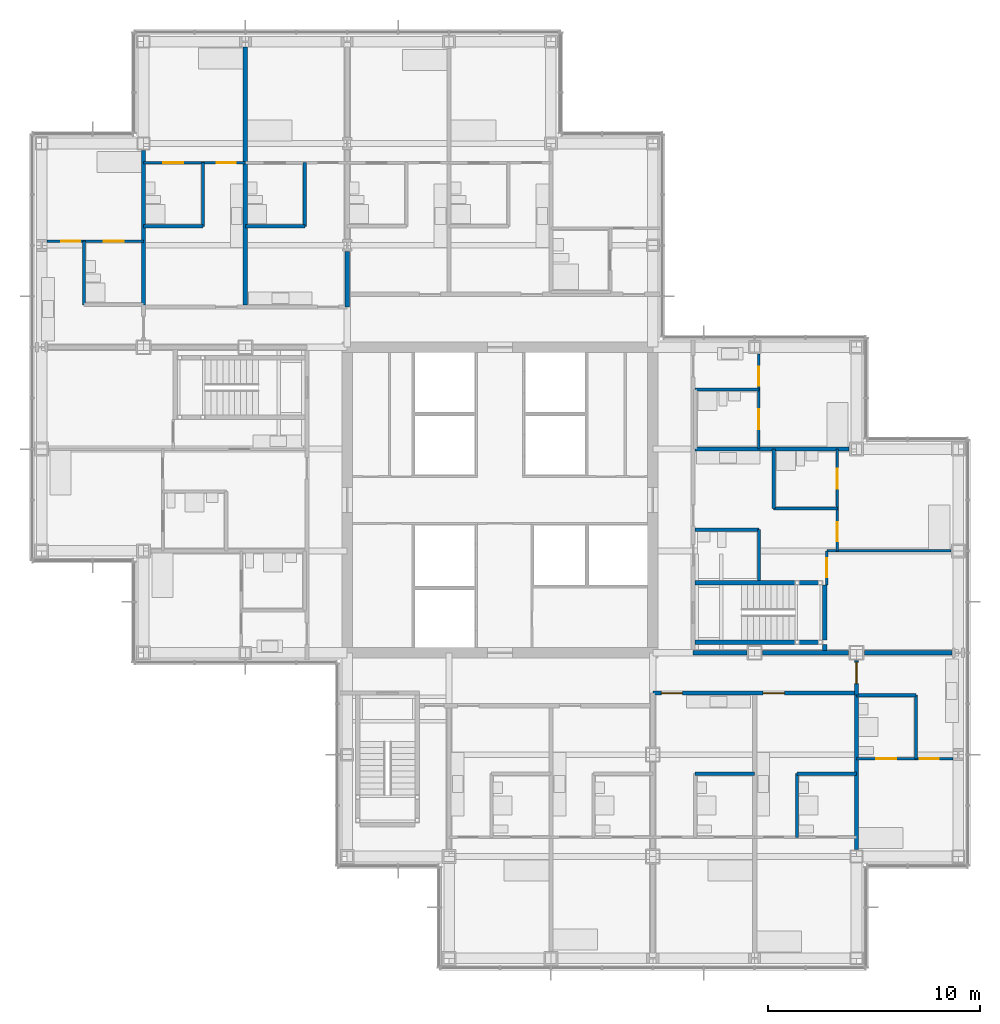
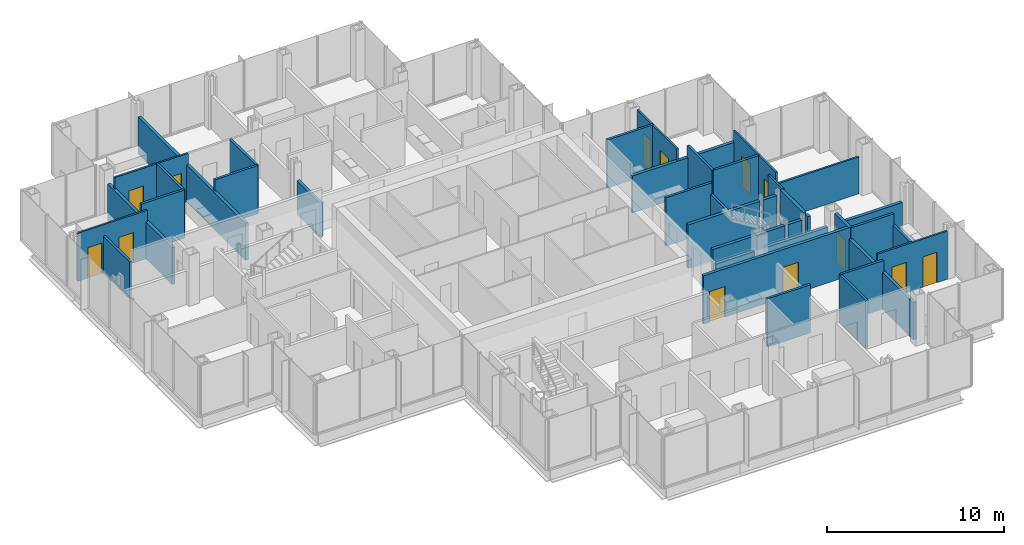
# One storey, part 15 of 19: 38 walls, 14 doors, 14 openings.
"""IFC4 building model written with IfcOpenShell, lengths in metres."""

from ifc_helpers import new_model, si_unit, direction, frame, frame_2d, origin, place, context, subcontext, project, spatial, rectangle, extrude, material, layer, layer_set, type_object, element, fill, save


model = new_model("IFC4")

# Units and contexts
model_context = context("Model", 3, precision=1e-05, world=origin(), true_north=direction((0.0, 1.0)))
body_context = subcontext(model_context, "Body", "Model", "MODEL_VIEW")
ifc_project = project(units=[si_unit("LENGTHUNIT", "METRE"), si_unit("AREAUNIT", "SQUARE_METRE"), si_unit("VOLUMEUNIT", "CUBIC_METRE"), si_unit("PLANEANGLEUNIT", "RADIAN"), si_unit("MASSUNIT", "GRAM", prefix="KILO")], contexts=[model_context])

# Site, building, storey
site_placement = place(None, origin())
site = spatial("IfcSite", under=ifc_project, at=site_placement, CompositionType="ELEMENT")
building_placement = place(site_placement, origin())
building = spatial("IfcBuilding", under=site, at=building_placement, Name="Kvirike Care Tower", CompositionType="ELEMENT")
storey_placement = place(building_placement, frame((0.0, 0.0, 87.5)))
storey = spatial("IfcBuildingStorey", under=building, at=storey_placement, Name="L23", CompositionType="ELEMENT", Elevation=87.5)

# Walls
ifc_material_1 = material(Name="Moisture-resistant board partition", Category="gypsum")
ifc_layer_1 = layer(ifc_material_1, 0.14990234375)
ifc_layer_set_1 = layer_set([ifc_layer_1], Name="BATHROOM WALL 150")
wall_type_1 = type_object("IfcWallType", Name="BATHROOM WALL 150", PredefinedType="PARTITIONING", material=ifc_layer_set_1)
wall_1_placement = place(storey_placement, frame((12.39990234375, 51.89990234375, 0.0), z_axis=(0.0, 0.0, 1.0), x_axis=(0.0, -1.0, 0.0)))
element("IfcWall", 1, at=wall_1_placement, inside=storey, type_object=wall_type_1, Name="Bathroom Wall 150 L23", PredefinedType="PARTITIONING", context=body_context, shape_type="SweptSolid", body=[
    extrude(rectangle(XDim=3.0, YDim=0.14990234375, at=frame_2d((1.5, 0.0))), origin(), (0.0, 0.0, 1.0), 3.330078125),
])
wall_2_placement = place(storey_placement, frame((12.39990234375, 48.89990234375, 0.0), z_axis=(0.0, 0.0, 1.0), x_axis=(-1.0, 0.0, 0.0)))
element("IfcWall", 2, at=wall_2_placement, inside=storey, type_object=wall_type_1, Name="Bathroom Wall 150 L23", PredefinedType="PARTITIONING", context=body_context, shape_type="SweptSolid", body=[
    extrude(rectangle(XDim=2.7998046875, YDim=0.14990234375, at=frame_2d((1.39990234375, 0.0))), origin(), (0.0, 0.0, 1.0), 3.330078125),
])
wall_3_placement = place(storey_placement, frame((7.60009765625, 51.89990234375, 0.0), z_axis=(0.0, 0.0, 1.0), x_axis=(0.0, -1.0, 0.0)))
element("IfcWall", 3, at=wall_3_placement, inside=storey, type_object=wall_type_1, Name="Bathroom Wall 150 L23", PredefinedType="PARTITIONING", context=body_context, shape_type="SweptSolid", body=[
    extrude(rectangle(XDim=3.0, YDim=0.14990234375, at=frame_2d((1.5, 0.0))), origin(), (0.0, 0.0, 1.0), 3.330078125),
])
wall_4_placement = place(storey_placement, frame((7.60009765625, 48.89990234375, 0.0), z_axis=(0.0, 0.0, 1.0), x_axis=(-1.0, 0.0, 0.0)))
element("IfcWall", 4, at=wall_4_placement, inside=storey, type_object=wall_type_1, Name="Bathroom Wall 150 L23", PredefinedType="PARTITIONING", context=body_context, shape_type="SweptSolid", body=[
    extrude(rectangle(XDim=2.800048828125, YDim=0.14990234375, at=frame_2d((1.39990234375, 0.0))), origin(), (0.0, 0.0, 1.0), 3.330078125),
])
wall_5_placement = place(storey_placement, frame((2.0, 48.199951171875, 0.0), z_axis=(0.0, 0.0, 1.0), x_axis=(0.0, -1.0, 0.0)))
element("IfcWall", 5, at=wall_5_placement, inside=storey, type_object=wall_type_1, Name="Bathroom Wall 150 L23", PredefinedType="PARTITIONING", context=body_context, shape_type="SweptSolid", body=[
    extrude(rectangle(XDim=3.0, YDim=0.14990234375, at=frame_2d((1.5, 0.0))), origin(), (0.0, 0.0, 1.0), 2.550048828125),
])
wall_6_placement = place(storey_placement, frame((30.800048828125, 23.10009765625, 0.0), z_axis=(0.0, 0.0, 1.0), x_axis=(1.0, 0.0, 0.0)))
element("IfcWall", 6, at=wall_6_placement, inside=storey, type_object=wall_type_1, Name="Bathroom Wall 150 L23", PredefinedType="PARTITIONING", context=body_context, shape_type="SweptSolid", body=[
    extrude(rectangle(XDim=2.800048828125, YDim=0.14990234375, at=frame_2d((1.39990234375, 0.0))), origin(), (0.0, 0.0, 1.0), 3.330078125),
])
wall_7_placement = place(storey_placement, frame((35.60009765625, 20.10009765625, 0.0), z_axis=(0.0, 0.0, 1.0), x_axis=(0.0, 1.0, 0.0)))
element("IfcWall", 7, at=wall_7_placement, inside=storey, type_object=wall_type_1, Name="Bathroom Wall 150 L23", PredefinedType="PARTITIONING", context=body_context, shape_type="SweptSolid", body=[
    extrude(rectangle(XDim=3.0, YDim=0.14990234375, at=frame_2d((1.5, 0.0))), origin(), (0.0, 0.0, 1.0), 3.330078125),
])
wall_8_placement = place(storey_placement, frame((35.60009765625, 23.10009765625, 0.0), z_axis=(0.0, 0.0, 1.0), x_axis=(1.0, 0.0, 0.0)))
element("IfcWall", 8, at=wall_8_placement, inside=storey, type_object=wall_type_1, Name="Bathroom Wall 150 L23", PredefinedType="PARTITIONING", context=body_context, shape_type="SweptSolid", body=[
    extrude(rectangle(XDim=2.7998046875, YDim=0.14990234375, at=frame_2d((1.39990234375, 0.0))), origin(), (0.0, 0.0, 1.0), 3.330078125),
])
wall_9_placement = place(storey_placement, frame((41.199951171875, 23.800048828125, 0.0), z_axis=(0.0, 0.0, 1.0), x_axis=(0.0, 1.0, 0.0)))
element("IfcWall", 9, at=wall_9_placement, inside=storey, type_object=wall_type_1, Name="Bathroom Wall 150 L23", PredefinedType="PARTITIONING", context=body_context, shape_type="SweptSolid", body=[
    extrude(rectangle(XDim=3.0, YDim=0.14990234375, at=frame_2d((1.5, 0.0))), origin(), (0.0, 0.0, 1.0), 2.550048828125),
])
wall_10_placement = place(storey_placement, frame((38.39990234375, 26.800048828125, 0.0), z_axis=(0.0, 0.0, 1.0), x_axis=(1.0, 0.0, 0.0)))
element("IfcWall", 10, at=wall_10_placement, inside=storey, type_object=wall_type_1, Name="Bathroom Wall 150 L23", PredefinedType="PARTITIONING", context=body_context, shape_type="SweptSolid", body=[
    extrude(rectangle(XDim=2.800048828125, YDim=0.14990234375, at=frame_2d((1.39990234375, 0.0))), origin(), (0.0, 0.0, 1.0), 3.330078125),
])
wall_11_placement = place(storey_placement, frame((33.800048828125, 32.199951171875, 0.0), z_axis=(0.0, 0.0, 1.0), x_axis=(0.0, 1.0, 0.0)))
element("IfcWall", 11, at=wall_11_placement, inside=storey, type_object=wall_type_1, Name="Bathroom Wall 150 L23", PredefinedType="PARTITIONING", context=body_context, shape_type="SweptSolid", body=[
    extrude(rectangle(XDim=2.400146484375, YDim=0.14990234375, at=frame_2d((1.2001953125, 0.0))), origin(), (0.0, 0.0, 1.0), 2.550048828125),
])
for number, where, z_axis, x_axis, name in (
    (12, (33.800048828125, 34.60009765625, 0.0), (0.0, 0.0, 1.0), (-1.0, 0.0, 0.0), "Bathroom Wall 150 L23"),
    (13, (37.5, 35.60009765625, 0.0), (0.0, 0.0, 1.0), (-1.0, 0.0, 0.0), "Bathroom Wall 150 L23"),
):
    element("IfcWall", number, at=place(storey_placement, frame(where, z_axis=z_axis, x_axis=x_axis)), inside=storey, type_object=wall_type_1, Name=name, PredefinedType="PARTITIONING", context=body_context, shape_type="SweptSolid", body=[
        extrude(rectangle(XDim=3.0, YDim=0.14990234375, at=frame_2d((1.5, 0.0))), origin(), (0.0, 0.0, 1.0), 3.330078125),
    ])
wall_12_placement = place(storey_placement, frame((34.5, 35.60009765625, 0.0), z_axis=(0.0, 0.0, 1.0), x_axis=(0.0, 1.0, 0.0)))
element("IfcWall", 14, at=wall_12_placement, inside=storey, type_object=wall_type_1, Name="Bathroom Wall 150 L23", PredefinedType="PARTITIONING", context=body_context, shape_type="SweptSolid", body=[
    extrude(rectangle(XDim=2.7998046875, YDim=0.14990234375, at=frame_2d((1.39990234375, 0.0))), origin(), (0.0, 0.0, 1.0), 3.330078125),
])
wall_13_placement = place(storey_placement, frame((33.800048828125, 41.199951171875, 0.0), z_axis=(0.0, 0.0, 1.0), x_axis=(-1.0, 0.0, 0.0)))
element("IfcWall", 15, at=wall_13_placement, inside=storey, type_object=wall_type_1, Name="Bathroom Wall 150 L23", PredefinedType="PARTITIONING", context=body_context, shape_type="SweptSolid", body=[
    extrude(rectangle(XDim=3.0, YDim=0.14990234375, at=frame_2d((1.5, 0.0))), origin(), (0.0, 0.0, 1.0), 3.330078125),
])

# Wall, openings, doors
ifc_material_2 = material(Name="Plasterboard corridor wall", Category="gypsum")
ifc_layer_2 = layer(ifc_material_2, 0.199951171875)
ifc_layer_set_2 = layer_set([ifc_layer_2], Name="CORRIDOR WALL 200")
wall_type_2 = type_object("IfcWallType", Name="CORRIDOR WALL 200", PredefinedType="PARTITIONING", material=ifc_layer_set_2)
wall_14_placement = place(storey_placement, frame((28.800048828125, 26.89990234375, 0.0), z_axis=(0.0, 0.0, 1.0), x_axis=(1.0, 0.0, 0.0)))
wall_14 = element("IfcWall", 16, at=wall_14_placement, inside=storey, type_object=wall_type_2, Name="Corridor Wall 200 L23", PredefinedType="PARTITIONING", context=body_context, shape_type="SweptSolid", body=[
    extrude(rectangle(XDim=9.599853515625, YDim=0.199951171875, at=frame_2d((4.7998046875, 0.0))), origin(), (0.0, 0.0, 1.0), 3.330078125),
])
opening_1_placement = place(wall_14_placement, frame((0.39990234375, 0.0, 0.0)))
opening_1 = element("IfcOpeningElement", 17, at=opening_1_placement, cuts=wall_14, Name="Opening 23-042", PredefinedType="OPENING", context=body_context, shape_type="SweptSolid", body=[
    extrude(rectangle(XDim=1.0, YDim=2.10009765625, at=frame_2d((0.5, 1.050048828125))), frame((0.0, 0.110595703125, 0.0), z_axis=(0.0, -1.0, 0.0), x_axis=(1.0, 0.0, 0.0)), (0.0, 0.0, 1.0), 0.220947265625),
])
opening_2_placement = place(wall_14_placement, frame((5.199951171875, 0.0, 0.0)))
opening_2 = element("IfcOpeningElement", 18, at=opening_2_placement, cuts=wall_14, Name="Opening 23-043", PredefinedType="OPENING", context=body_context, shape_type="SweptSolid", body=[
    extrude(rectangle(XDim=1.0, YDim=2.10009765625, at=frame_2d((0.5, 1.050048828125))), frame((0.0, 0.110595703125, 0.0), z_axis=(0.0, -1.0, 0.0), x_axis=(1.0, 0.0, 0.0)), (0.0, 0.0, 1.0), 0.220947265625),
])
ifc_material_3 = material(Name="Timber door set", Category="wood")
door_type_1 = type_object("IfcDoorType", Name="FLAT ENTRANCE DOOR 1000", OperationType="SINGLE_SWING_LEFT", PredefinedType="DOOR", material=ifc_material_3)
door_1_placement = place(opening_1_placement, frame((1.0, 0.0, 0.0), z_axis=(0.0, 0.0, 1.0), x_axis=(-1.0, 0.0, 0.0)))
door_1 = element("IfcDoor", 19, at=door_1_placement, inside=storey, type_object=door_type_1, Name="Assisted living suite entrance", OperationType="SINGLE_SWING_LEFT", OverallHeight=2.10009765625, OverallWidth=1.0, PredefinedType="DOOR", context=body_context, shape_type="SweptSolid", body=[
    extrude(rectangle(XDim=1.0, YDim=2.10009765625, at=frame_2d((0.5, 1.050048828125))), frame((0.0, 0.02685546875, 0.0), z_axis=(0.0, -1.0, 0.0), x_axis=(1.0, 0.0, 0.0)), (0.0, 0.0, 1.0), 0.053955078125),
])
fill(opening_1, door_1)
door_2_placement = place(opening_2_placement, frame((1.0, 0.0, 0.0), z_axis=(0.0, 0.0, 1.0), x_axis=(-1.0, 0.0, 0.0)))
door_2 = element("IfcDoor", 20, at=door_2_placement, inside=storey, type_object=door_type_1, Name="Assisted living suite entrance", OperationType="SINGLE_SWING_LEFT", OverallHeight=2.10009765625, OverallWidth=1.0, PredefinedType="DOOR", context=body_context, shape_type="SweptSolid", body=[
    extrude(rectangle(XDim=1.0, YDim=2.10009765625, at=frame_2d((0.5, 1.050048828125))), frame((0.0, 0.02685546875, 0.0), z_axis=(0.0, -1.0, 0.0), x_axis=(1.0, 0.0, 0.0)), (0.0, 0.0, 1.0), 0.053955078125),
])
fill(opening_2, door_2)

# Wall, opening, door
wall_15_placement = place(storey_placement, frame((38.39990234375, 26.800048828125, 0.0), z_axis=(0.0, 0.0, 1.0), x_axis=(0.0, 1.0, 0.0)))
wall_15 = element("IfcWall", 21, at=wall_15_placement, inside=storey, type_object=wall_type_2, Name="Corridor Wall 200 L23", PredefinedType="PARTITIONING", context=body_context, shape_type="SweptSolid", body=[
    extrude(rectangle(XDim=1.6298828125, YDim=0.199951171875, at=frame_2d((0.81494140625, 0.0))), origin(), (0.0, 0.0, 1.0), 3.330078125),
])
opening_3_placement = place(wall_15_placement, frame((0.550048828125, 0.0, 0.0)))
opening_3 = element("IfcOpeningElement", 22, at=opening_3_placement, cuts=wall_15, Name="Opening 23-044", PredefinedType="OPENING", context=body_context, shape_type="SweptSolid", body=[
    extrude(rectangle(XDim=1.0, YDim=2.10009765625, at=frame_2d((0.5, 1.050048828125))), frame((0.0, 0.110595703125, 0.0), z_axis=(0.0, -1.0, 0.0), x_axis=(1.0, 0.0, 0.0)), (0.0, 0.0, 1.0), 0.220947265625),
])
door_3_placement = place(opening_3_placement, frame((1.0, 0.0, 0.0), z_axis=(0.0, 0.0, 1.0), x_axis=(-1.0, 0.0, 0.0)))
door_3 = element("IfcDoor", 23, at=door_3_placement, inside=storey, type_object=door_type_1, Name="Assisted living suite entrance", OperationType="SINGLE_SWING_RIGHT", OverallHeight=2.10009765625, OverallWidth=1.0, PredefinedType="DOOR", context=body_context, shape_type="SweptSolid", body=[
    extrude(rectangle(XDim=1.0, YDim=2.10009765625, at=frame_2d((0.5, 1.050048828125))), frame((0.0, 0.02685546875, 0.0), z_axis=(0.0, -1.0, 0.0), x_axis=(1.0, 0.0, 0.0)), (0.0, 0.0, 1.0), 0.053955078125),
])
fill(opening_3, door_3)

# Wall, openings, doors
ifc_material_4 = material(Name="Plasterboard partition", Category="gypsum")
ifc_layer_3 = layer(ifc_material_4, 0.1201171875)
ifc_layer_set_3 = layer_set([ifc_layer_3], Name="PARTITION 120")
wall_type_3 = type_object("IfcWallType", Name="PARTITION 120", PredefinedType="PARTITIONING", material=ifc_layer_set_3)
wall_16_placement = place(storey_placement, frame((9.60009765625, 51.89990234375, 0.0), z_axis=(0.0, 0.0, 1.0), x_axis=(-1.0, 0.0, 0.0)))
wall_16 = element("IfcWall", 24, at=wall_16_placement, inside=storey, type_object=wall_type_3, Name="Partition 120 L23", PredefinedType="PARTITIONING", context=body_context, shape_type="SweptSolid", body=[
    extrude(rectangle(XDim=4.800048828125, YDim=0.1201171875, at=frame_2d((2.39990234375, 0.0))), origin(), (0.0, 0.0, 1.0), 3.330078125),
])
opening_4_placement = place(wall_16_placement, frame((0.449951171875, 0.0, 0.0)))
opening_4 = element("IfcOpeningElement", 25, at=opening_4_placement, cuts=wall_16, Name="Opening 23-012", PredefinedType="OPENING", context=body_context, shape_type="SweptSolid", body=[
    extrude(rectangle(XDim=0.89990234375, YDim=2.10009765625, at=frame_2d((0.449951171875, 1.050048828125))), frame((0.0, 0.070556640625, 0.0), z_axis=(0.0, -1.0, 0.0), x_axis=(1.0, 0.0, 0.0)), (0.0, 0.0, 1.0), 0.14111328125),
])
opening_5_placement = place(wall_16_placement, frame((2.925048828125, 0.0, 0.0)))
opening_5 = element("IfcOpeningElement", 26, at=opening_5_placement, cuts=wall_16, Name="Opening 23-013", PredefinedType="OPENING", context=body_context, shape_type="SweptSolid", body=[
    extrude(rectangle(XDim=0.949951171875, YDim=2.10009765625, at=frame_2d((0.47509765625, 1.050048828125))), frame((0.0, 0.070556640625, 0.0), z_axis=(0.0, -1.0, 0.0), x_axis=(1.0, 0.0, 0.0)), (0.0, 0.0, 1.0), 0.14111328125),
])
ifc_material_5 = material(Name="Timber door set", Category="wood")
door_type_2 = type_object("IfcDoorType", Name="EN-SUITE SLIDING DOOR 950", OperationType="SLIDING_TO_LEFT", PredefinedType="DOOR", material=ifc_material_5)
door_4_placement = place(opening_5_placement, origin())
door_4 = element("IfcDoor", 27, at=door_4_placement, inside=storey, type_object=door_type_2, Name="En-suite door", OperationType="SLIDING_TO_LEFT", OverallHeight=2.10009765625, OverallWidth=0.949951171875, PredefinedType="DOOR", context=body_context, shape_type="SweptSolid", body=[
    extrude(rectangle(XDim=0.949951171875, YDim=2.10009765625, at=frame_2d((0.47509765625, 1.050048828125))), frame((0.0, 0.02197265625, 0.0), z_axis=(0.0, -1.0, 0.0), x_axis=(1.0, 0.0, 0.0)), (0.0, 0.0, 1.0), 0.0439453125),
])
fill(opening_5, door_4)
ifc_material_6 = material(Name="Timber door set", Category="wood")
door_type_3 = type_object("IfcDoorType", Name="INTERNAL DOOR 900", OperationType="SINGLE_SWING_LEFT", PredefinedType="DOOR", material=ifc_material_6)
door_5_placement = place(opening_4_placement, origin())
door_5 = element("IfcDoor", 28, at=door_5_placement, inside=storey, type_object=door_type_3, Name="Assisted living suite door", OperationType="SINGLE_SWING_RIGHT", OverallHeight=2.10009765625, OverallWidth=0.89990234375, PredefinedType="DOOR", context=body_context, shape_type="SweptSolid", body=[
    extrude(rectangle(XDim=0.89990234375, YDim=2.10009765625, at=frame_2d((0.449951171875, 1.050048828125))), frame((0.0, 0.02197265625, 0.0), z_axis=(0.0, -1.0, 0.0), x_axis=(1.0, 0.0, 0.0)), (0.0, 0.0, 1.0), 0.0439453125),
])
fill(opening_4, door_5)

wall_17_placement = place(storey_placement, frame((4.800048828125, 48.199951171875, 0.0), z_axis=(0.0, 0.0, 1.0), x_axis=(-1.0, 0.0, 0.0)))
wall_17 = element("IfcWall", 29, at=wall_17_placement, inside=storey, type_object=wall_type_3, Name="Partition 120 L23", PredefinedType="PARTITIONING", context=body_context, shape_type="SweptSolid", body=[
    extrude(rectangle(XDim=4.552978515625, YDim=0.1201171875, at=frame_2d((2.2763671875, 0.0))), origin(), (0.0, 0.0, 1.0), 3.330078125),
])
opening_6_placement = place(wall_17_placement, frame((2.97509765625, 0.0, 0.0)))
opening_6 = element("IfcOpeningElement", 30, at=opening_6_placement, cuts=wall_17, Name="Opening 23-014", PredefinedType="OPENING", context=body_context, shape_type="SweptSolid", body=[
    extrude(rectangle(XDim=0.89990234375, YDim=2.10009765625, at=frame_2d((0.449951171875, 1.050048828125))), frame((0.0, 0.070556640625, 0.0), z_axis=(0.0, -1.0, 0.0), x_axis=(1.0, 0.0, 0.0)), (0.0, 0.0, 1.0), 0.14111328125),
])
opening_7_placement = place(wall_17_placement, frame((0.925048828125, 0.0, 0.0)))
opening_7 = element("IfcOpeningElement", 31, at=opening_7_placement, cuts=wall_17, Name="Opening 23-015", PredefinedType="OPENING", context=body_context, shape_type="SweptSolid", body=[
    extrude(rectangle(XDim=0.949951171875, YDim=2.10009765625, at=frame_2d((0.47509765625, 1.050048828125))), frame((0.0, 0.070556640625, 0.0), z_axis=(0.0, -1.0, 0.0), x_axis=(1.0, 0.0, 0.0)), (0.0, 0.0, 1.0), 0.14111328125),
])
door_6_placement = place(opening_7_placement, origin())
door_6 = element("IfcDoor", 32, at=door_6_placement, inside=storey, type_object=door_type_2, Name="En-suite door", OperationType="SLIDING_TO_LEFT", OverallHeight=2.10009765625, OverallWidth=0.949951171875, PredefinedType="DOOR", context=body_context, shape_type="SweptSolid", body=[
    extrude(rectangle(XDim=0.949951171875, YDim=2.10009765625, at=frame_2d((0.47509765625, 1.050048828125))), frame((0.0, 0.02197265625, 0.0), z_axis=(0.0, -1.0, 0.0), x_axis=(1.0, 0.0, 0.0)), (0.0, 0.0, 1.0), 0.0439453125),
])
fill(opening_7, door_6)
door_7_placement = place(opening_6_placement, origin())
door_7 = element("IfcDoor", 33, at=door_7_placement, inside=storey, type_object=door_type_3, Name="Assisted living suite door", OperationType="SINGLE_SWING_RIGHT", OverallHeight=2.10009765625, OverallWidth=0.89990234375, PredefinedType="DOOR", context=body_context, shape_type="SweptSolid", body=[
    extrude(rectangle(XDim=0.89990234375, YDim=2.10009765625, at=frame_2d((0.449951171875, 1.050048828125))), frame((0.0, 0.02197265625, 0.0), z_axis=(0.0, -1.0, 0.0), x_axis=(1.0, 0.0, 0.0)), (0.0, 0.0, 1.0), 0.0439453125),
])
fill(opening_6, door_7)

wall_18_placement = place(storey_placement, frame((38.39990234375, 23.800048828125, 0.0), z_axis=(0.0, 0.0, 1.0), x_axis=(1.0, 0.0, 0.0)))
wall_18 = element("IfcWall", 34, at=wall_18_placement, inside=storey, type_object=wall_type_3, Name="Partition 120 L23", PredefinedType="PARTITIONING", context=body_context, shape_type="SweptSolid", body=[
    extrude(rectangle(XDim=4.552978515625, YDim=0.1201171875, at=frame_2d((2.2763671875, 0.0))), origin(), (0.0, 0.0, 1.0), 3.330078125),
])
opening_8_placement = place(wall_18_placement, frame((2.97509765625, 0.0, 0.0)))
opening_8 = element("IfcOpeningElement", 35, at=opening_8_placement, cuts=wall_18, Name="Opening 23-040", PredefinedType="OPENING", context=body_context, shape_type="SweptSolid", body=[
    extrude(rectangle(XDim=0.89990234375, YDim=2.10009765625, at=frame_2d((0.449951171875, 1.050048828125))), frame((0.0, 0.070556640625, 0.0), z_axis=(0.0, -1.0, 0.0), x_axis=(1.0, 0.0, 0.0)), (0.0, 0.0, 1.0), 0.14111328125),
])
opening_9_placement = place(wall_18_placement, frame((0.925048828125, 0.0, 0.0)))
opening_9 = element("IfcOpeningElement", 36, at=opening_9_placement, cuts=wall_18, Name="Opening 23-041", PredefinedType="OPENING", context=body_context, shape_type="SweptSolid", body=[
    extrude(rectangle(XDim=0.949951171875, YDim=2.10009765625, at=frame_2d((0.47509765625, 1.050048828125))), frame((0.0, 0.070556640625, 0.0), z_axis=(0.0, -1.0, 0.0), x_axis=(1.0, 0.0, 0.0)), (0.0, 0.0, 1.0), 0.14111328125),
])
door_8_placement = place(opening_9_placement, origin())
door_8 = element("IfcDoor", 37, at=door_8_placement, inside=storey, type_object=door_type_2, Name="En-suite door", OperationType="SLIDING_TO_LEFT", OverallHeight=2.10009765625, OverallWidth=0.949951171875, PredefinedType="DOOR", context=body_context, shape_type="SweptSolid", body=[
    extrude(rectangle(XDim=0.949951171875, YDim=2.10009765625, at=frame_2d((0.47509765625, 1.050048828125))), frame((0.0, 0.02197265625, 0.0), z_axis=(0.0, -1.0, 0.0), x_axis=(1.0, 0.0, 0.0)), (0.0, 0.0, 1.0), 0.0439453125),
])
fill(opening_9, door_8)
door_9_placement = place(opening_8_placement, origin())
door_9 = element("IfcDoor", 38, at=door_9_placement, inside=storey, type_object=door_type_3, Name="Assisted living suite door", OperationType="SINGLE_SWING_RIGHT", OverallHeight=2.10009765625, OverallWidth=0.89990234375, PredefinedType="DOOR", context=body_context, shape_type="SweptSolid", body=[
    extrude(rectangle(XDim=0.89990234375, YDim=2.10009765625, at=frame_2d((0.449951171875, 1.050048828125))), frame((0.0, 0.02197265625, 0.0), z_axis=(0.0, -1.0, 0.0), x_axis=(1.0, 0.0, 0.0)), (0.0, 0.0, 1.0), 0.0439453125),
])
fill(opening_8, door_9)

# Wall, opening, door
wall_19_placement = place(storey_placement, frame((37.0, 32.0, 0.0), z_axis=(0.0, 0.0, 1.0), x_axis=(0.0, 1.0, 0.0)))
wall_19 = element("IfcWall", 39, at=wall_19_placement, inside=storey, type_object=wall_type_3, Name="Partition 120 L23", PredefinedType="PARTITIONING", context=body_context, shape_type="SweptSolid", body=[
    extrude(rectangle(XDim=1.60009765625, YDim=0.1201171875, at=frame_2d((0.800048828125, 0.0))), origin(), (0.0, 0.0, 1.0), 3.330078125),
])
opening_10_placement = place(wall_19_placement, frame((0.35009765625, 0.0, 0.0)))
opening_10 = element("IfcOpeningElement", 40, at=opening_10_placement, cuts=wall_19, Name="Opening 23-045", PredefinedType="OPENING", context=body_context, shape_type="SweptSolid", body=[
    extrude(rectangle(XDim=0.89990234375, YDim=2.10009765625, at=frame_2d((0.449951171875, 1.050048828125))), frame((0.0, 0.070556640625, 0.0), z_axis=(0.0, -1.0, 0.0), x_axis=(1.0, 0.0, 0.0)), (0.0, 0.0, 1.0), 0.14111328125),
])
door_10_placement = place(opening_10_placement, origin())
door_10 = element("IfcDoor", 41, at=door_10_placement, inside=storey, type_object=door_type_3, Name="Suite sitting room door", OperationType="SINGLE_SWING_RIGHT", OverallHeight=2.10009765625, OverallWidth=0.89990234375, PredefinedType="DOOR", context=body_context, shape_type="SweptSolid", body=[
    extrude(rectangle(XDim=0.89990234375, YDim=2.10009765625, at=frame_2d((0.449951171875, 1.050048828125))), frame((0.0, 0.02197265625, 0.0), z_axis=(0.0, -1.0, 0.0), x_axis=(1.0, 0.0, 0.0)), (0.0, 0.0, 1.0), 0.0439453125),
])
fill(opening_10, door_10)

# Wall, openings, doors
wall_20_placement = place(storey_placement, frame((37.5, 33.60009765625, 0.0), z_axis=(0.0, 0.0, 1.0), x_axis=(0.0, 1.0, 0.0)))
wall_20 = element("IfcWall", 42, at=wall_20_placement, inside=storey, type_object=wall_type_3, Name="Partition 120 L23", PredefinedType="PARTITIONING", context=body_context, shape_type="SweptSolid", body=[
    extrude(rectangle(XDim=4.7998046875, YDim=0.1201171875, at=frame_2d((2.39990234375, 0.0))), origin(), (0.0, 0.0, 1.0), 3.330078125),
])
opening_11_placement = place(wall_20_placement, frame((0.449951171875, 0.0, 0.0)))
opening_11 = element("IfcOpeningElement", 43, at=opening_11_placement, cuts=wall_20, Name="Opening 23-046", PredefinedType="OPENING", context=body_context, shape_type="SweptSolid", body=[
    extrude(rectangle(XDim=0.89990234375, YDim=2.10009765625, at=frame_2d((0.449951171875, 1.050048828125))), frame((0.0, 0.070556640625, 0.0), z_axis=(0.0, -1.0, 0.0), x_axis=(1.0, 0.0, 0.0)), (0.0, 0.0, 1.0), 0.14111328125),
])
opening_12_placement = place(wall_20_placement, frame((2.925048828125, 0.0, 0.0)))
opening_12 = element("IfcOpeningElement", 44, at=opening_12_placement, cuts=wall_20, Name="Opening 23-047", PredefinedType="OPENING", context=body_context, shape_type="SweptSolid", body=[
    extrude(rectangle(XDim=0.949951171875, YDim=2.10009765625, at=frame_2d((0.47509765625, 1.050048828125))), frame((0.0, 0.070556640625, 0.0), z_axis=(0.0, -1.0, 0.0), x_axis=(1.0, 0.0, 0.0)), (0.0, 0.0, 1.0), 0.14111328125),
])
door_11_placement = place(opening_12_placement, origin())
door_11 = element("IfcDoor", 45, at=door_11_placement, inside=storey, type_object=door_type_2, Name="En-suite door", OperationType="SLIDING_TO_RIGHT", OverallHeight=2.10009765625, OverallWidth=0.949951171875, PredefinedType="DOOR", context=body_context, shape_type="SweptSolid", body=[
    extrude(rectangle(XDim=0.949951171875, YDim=2.10009765625, at=frame_2d((0.47509765625, 1.050048828125))), frame((0.0, 0.02197265625, 0.0), z_axis=(0.0, -1.0, 0.0), x_axis=(1.0, 0.0, 0.0)), (0.0, 0.0, 1.0), 0.0439453125),
])
fill(opening_12, door_11)
door_12_placement = place(opening_11_placement, origin())
door_12 = element("IfcDoor", 46, at=door_12_placement, inside=storey, type_object=door_type_3, Name="Assisted living suite door", OperationType="SINGLE_SWING_LEFT", OverallHeight=2.10009765625, OverallWidth=0.89990234375, PredefinedType="DOOR", context=body_context, shape_type="SweptSolid", body=[
    extrude(rectangle(XDim=0.89990234375, YDim=2.10009765625, at=frame_2d((0.449951171875, 1.050048828125))), frame((0.0, 0.02197265625, 0.0), z_axis=(0.0, -1.0, 0.0), x_axis=(1.0, 0.0, 0.0)), (0.0, 0.0, 1.0), 0.0439453125),
])
fill(opening_11, door_12)

# Wall
wall_21_placement = place(storey_placement, frame((42.85498046875, 33.60009765625, 0.0), z_axis=(0.0, 0.0, 1.0), x_axis=(-1.0, 0.0, 0.0)))
element("IfcWall", 47, at=wall_21_placement, inside=storey, type_object=wall_type_3, Name="Partition 120 L23", PredefinedType="PARTITIONING", context=body_context, shape_type="SweptSolid", body=[
    extrude(rectangle(XDim=5.85498046875, YDim=0.1201171875, at=frame_2d((2.927490234375, 0.0))), origin(), (0.0, 0.0, 1.0), 2.550048828125),
])

# Wall, openings, doors
wall_22_placement = place(storey_placement, frame((33.800048828125, 38.39990234375, 0.0), z_axis=(0.0, 0.0, 1.0), x_axis=(0.0, 1.0, 0.0)))
wall_22 = element("IfcWall", 48, at=wall_22_placement, inside=storey, type_object=wall_type_3, Name="Partition 120 L23", PredefinedType="PARTITIONING", context=body_context, shape_type="SweptSolid", body=[
    extrude(rectangle(XDim=4.47998046875, YDim=0.1201171875, at=frame_2d((2.239990234375, 0.0))), origin(), (0.0, 0.0, 1.0), 3.330078125),
])
opening_13_placement = place(wall_22_placement, frame((2.97509765625, 0.0, 0.0)))
opening_13 = element("IfcOpeningElement", 49, at=opening_13_placement, cuts=wall_22, Name="Opening 23-048", PredefinedType="OPENING", context=body_context, shape_type="SweptSolid", body=[
    extrude(rectangle(XDim=0.89990234375, YDim=2.10009765625, at=frame_2d((0.449951171875, 1.050048828125))), frame((0.0, 0.070556640625, 0.0), z_axis=(0.0, -1.0, 0.0), x_axis=(1.0, 0.0, 0.0)), (0.0, 0.0, 1.0), 0.14111328125),
])
opening_14_placement = place(wall_22_placement, frame((0.925048828125, 0.0, 0.0)))
opening_14 = element("IfcOpeningElement", 50, at=opening_14_placement, cuts=wall_22, Name="Opening 23-049", PredefinedType="OPENING", context=body_context, shape_type="SweptSolid", body=[
    extrude(rectangle(XDim=0.949951171875, YDim=2.10009765625, at=frame_2d((0.47509765625, 1.050048828125))), frame((0.0, 0.070556640625, 0.0), z_axis=(0.0, -1.0, 0.0), x_axis=(1.0, 0.0, 0.0)), (0.0, 0.0, 1.0), 0.14111328125),
])
door_13_placement = place(opening_14_placement, origin())
door_13 = element("IfcDoor", 51, at=door_13_placement, inside=storey, type_object=door_type_2, Name="En-suite door", OperationType="SLIDING_TO_LEFT", OverallHeight=2.10009765625, OverallWidth=0.949951171875, PredefinedType="DOOR", context=body_context, shape_type="SweptSolid", body=[
    extrude(rectangle(XDim=0.949951171875, YDim=2.10009765625, at=frame_2d((0.47509765625, 1.050048828125))), frame((0.0, 0.02197265625, 0.0), z_axis=(0.0, -1.0, 0.0), x_axis=(1.0, 0.0, 0.0)), (0.0, 0.0, 1.0), 0.0439453125),
])
fill(opening_14, door_13)
door_14_placement = place(opening_13_placement, origin())
door_14 = element("IfcDoor", 52, at=door_14_placement, inside=storey, type_object=door_type_3, Name="Assisted living suite door", OperationType="SINGLE_SWING_RIGHT", OverallHeight=2.10009765625, OverallWidth=0.89990234375, PredefinedType="DOOR", context=body_context, shape_type="SweptSolid", body=[
    extrude(rectangle(XDim=0.89990234375, YDim=2.10009765625, at=frame_2d((0.449951171875, 1.050048828125))), frame((0.0, 0.02197265625, 0.0), z_axis=(0.0, -1.0, 0.0), x_axis=(1.0, 0.0, 0.0)), (0.0, 0.0, 1.0), 0.0439453125),
])
fill(opening_13, door_14)

# Walls
ifc_material_7 = material(Name="Plasterboard party wall", Category="gypsum")
ifc_layer_4 = layer(ifc_material_7, 0.199951171875)
ifc_layer_set_4 = layer_set([ifc_layer_4], Name="PARTY WALL 200")
wall_type_4 = type_object("IfcWallType", Name="PARTY WALL 200", PredefinedType="PARTITIONING", material=ifc_layer_set_4)
wall_23_placement = place(storey_placement, frame((9.60009765625, 57.35302734375, 0.0), z_axis=(0.0, 0.0, 1.0), x_axis=(0.0, -1.0, 0.0)))
element("IfcWall", 53, at=wall_23_placement, inside=storey, type_object=wall_type_4, Name="Party Wall 200 L23", PredefinedType="PARTITIONING", context=body_context, shape_type="SweptSolid", body=[
    extrude(rectangle(XDim=12.153076171875, YDim=0.199951171875, at=frame_2d((6.07666015625, 0.0))), origin(), (0.0, 0.0, 1.0), 2.550048828125),
])
for number, where, z_axis, x_axis, name in (
    (54, (4.800048828125, 52.47998046875, 0.0), (0.0, 0.0, 1.0), (0.0, -1.0, 0.0), "Party Wall 200 L23"),
    (55, (38.39990234375, 19.52001953125, 0.0), (0.0, 0.0, 1.0), (0.0, 1.0, 0.0), "Party Wall 200 L23"),
):
    element("IfcWall", number, at=place(storey_placement, frame(where, z_axis=z_axis, x_axis=x_axis)), inside=storey, type_object=wall_type_4, Name=name, PredefinedType="PARTITIONING", context=body_context, shape_type="SweptSolid", body=[
        extrude(rectangle(XDim=7.280029296875, YDim=0.199951171875, at=frame_2d((3.64013671875, 0.0))), origin(), (0.0, 0.0, 1.0), 2.550048828125),
    ])
wall_24_placement = place(storey_placement, frame((38.054931640625, 38.39990234375, 0.0), z_axis=(0.0, 0.0, 1.0), x_axis=(-1.0, 0.0, 0.0)))
element("IfcWall", 56, at=wall_24_placement, inside=storey, type_object=wall_type_4, Name="Party Wall 200 L23", PredefinedType="PARTITIONING", context=body_context, shape_type="SweptSolid", body=[
    extrude(rectangle(XDim=7.2548828125, YDim=0.199951171875, at=frame_2d((3.62744140625, 0.0))), origin(), (0.0, 0.0, 1.0), 2.550048828125),
])
wall_25_placement = place(storey_placement, frame((14.39990234375, 45.10009765625, 0.0), z_axis=(0.0, 0.0, 1.0), x_axis=(0.0, 1.0, 0.0)))
element("IfcWall", 57, at=wall_25_placement, inside=storey, type_object=wall_type_4, Name="Party Wall 200 L23", PredefinedType="PARTITIONING", context=body_context, shape_type="SweptSolid", body=[
    extrude(rectangle(XDim=2.60498046875, YDim=0.199951171875, at=frame_2d((1.302490234375, 0.0))), origin(), (0.0, 0.0, 1.0), 2.320068359375),
])
wall_26_placement = place(storey_placement, frame((42.8955078125, 28.800048828125, 0.0), z_axis=(0.0, 0.0, 1.0), x_axis=(-1.0, 0.0, 0.0)))
element("IfcWall", 58, at=wall_26_placement, inside=storey, type_object=wall_type_4, Name="Party Wall 200 L23", PredefinedType="PARTITIONING", context=body_context, shape_type="SweptSolid", body=[
    extrude(rectangle(XDim=4.12548828125, YDim=0.199951171875, at=frame_2d((2.062744140625, 0.0))), origin(), (0.0, 0.0, 1.0), 2.320068359375),
])
wall_27_placement = place(storey_placement, frame((38.030029296875, 28.800048828125, 0.0), z_axis=(0.0, 0.0, 1.0), x_axis=(-1.0, 0.0, 0.0)))
element("IfcWall", 59, at=wall_27_placement, inside=storey, type_object=wall_type_4, Name="Party Wall 200 L23", PredefinedType="PARTITIONING", context=body_context, shape_type="SweptSolid", body=[
    extrude(rectangle(XDim=4.06005859375, YDim=0.199951171875, at=frame_2d((2.030029296875, 0.0))), origin(), (0.0, 0.0, 1.0), 2.320068359375),
])
wall_28_placement = place(storey_placement, frame((33.22998046875, 28.800048828125, 0.0), z_axis=(0.0, 0.0, 1.0), x_axis=(-1.0, 0.0, 0.0)))
element("IfcWall", 60, at=wall_28_placement, inside=storey, type_object=wall_type_4, Name="Party Wall 200 L23", PredefinedType="PARTITIONING", context=body_context, shape_type="SweptSolid", body=[
    extrude(rectangle(XDim=2.530029296875, YDim=0.199951171875, at=frame_2d((1.26513671875, 0.0))), origin(), (0.0, 0.0, 1.0), 2.320068359375),
])
ifc_material_8 = material(Name="Concrete C40/50", Category="concrete")
ifc_layer_5 = layer(ifc_material_8, 0.199951171875)
ifc_layer_set_5 = layer_set([ifc_layer_5], Name="STAIR WALL 200")
wall_type_5 = type_object("IfcWallType", Name="STAIR WALL 200", PredefinedType="SOLIDWALL", material=ifc_layer_set_5)
wall_29_placement = place(storey_placement, frame((36.60009765625, 29.300048828125, 0.0), z_axis=(0.0, 0.0, 1.0), x_axis=(-1.0, 0.0, 0.0)))
element("IfcWall", 61, at=wall_29_placement, inside=storey, type_object=wall_type_5, Name="Stair Wall 200 L23", PredefinedType="SOLIDWALL", context=body_context, shape_type="SweptSolid", body=[
    extrude(rectangle(XDim=0.900146484375, YDim=0.199951171875, at=frame_2d((0.4501953125, 0.0))), origin(), (0.0, 0.0, 1.0), 2.989990234375),
])
wall_30_placement = place(storey_placement, frame((35.5, 29.300048828125, 0.0), z_axis=(0.0, 0.0, 1.0), x_axis=(-1.0, 0.0, 0.0)))
element("IfcWall", 62, at=wall_30_placement, inside=storey, type_object=wall_type_5, Name="Stair Wall 200 L23", PredefinedType="SOLIDWALL", context=body_context, shape_type="SweptSolid", body=[
    extrude(rectangle(XDim=4.699951171875, YDim=0.199951171875, at=frame_2d((2.35009765625, 0.0))), origin(), (0.0, 0.0, 1.0), 2.989990234375),
])
wall_31_placement = place(storey_placement, frame((36.60009765625, 32.10009765625, 0.0), z_axis=(0.0, 0.0, 1.0), x_axis=(-1.0, 0.0, 0.0)))
element("IfcWall", 63, at=wall_31_placement, inside=storey, type_object=wall_type_5, Name="Stair Wall 200 L23", PredefinedType="SOLIDWALL", context=body_context, shape_type="SweptSolid", body=[
    extrude(rectangle(XDim=0.900146484375, YDim=0.199951171875, at=frame_2d((0.4501953125, 0.0))), origin(), (0.0, 0.0, 1.0), 2.989990234375),
])
wall_32_placement = place(storey_placement, frame((35.5, 32.10009765625, 0.0), z_axis=(0.0, 0.0, 1.0), x_axis=(-1.0, 0.0, 0.0)))
element("IfcWall", 64, at=wall_32_placement, inside=storey, type_object=wall_type_5, Name="Stair Wall 200 L23", PredefinedType="SOLIDWALL", context=body_context, shape_type="SweptSolid", body=[
    extrude(rectangle(XDim=4.699951171875, YDim=0.199951171875, at=frame_2d((2.35009765625, 0.0))), origin(), (0.0, 0.0, 1.0), 2.989990234375),
])
wall_33_placement = place(storey_placement, frame((36.89990234375, 28.89990234375, 0.0), z_axis=(0.0, 0.0, 1.0), x_axis=(0.0, 1.0, 0.0)))
element("IfcWall", 65, at=wall_33_placement, inside=storey, type_object=wall_type_5, Name="Stair Wall 200 L23", PredefinedType="SOLIDWALL", context=body_context, shape_type="SweptSolid", body=[
    extrude(rectangle(XDim=0.300048828125, YDim=0.199951171875, at=frame_2d((0.14990234375, 0.0))), origin(), (0.0, 0.0, 1.0), 3.330078125),
])
wall_34_placement = place(storey_placement, frame((36.89990234375, 29.39990234375, 0.0), z_axis=(0.0, 0.0, 1.0), x_axis=(0.0, 1.0, 0.0)))
element("IfcWall", 66, at=wall_34_placement, inside=storey, type_object=wall_type_5, Name="Stair Wall 200 L23", PredefinedType="SOLIDWALL", context=body_context, shape_type="SweptSolid", body=[
    extrude(rectangle(XDim=2.60009765625, YDim=0.199951171875, at=frame_2d((1.300048828125, 0.0))), origin(), (0.0, 0.0, 1.0), 3.330078125),
])

save(model, "model.ifc")
